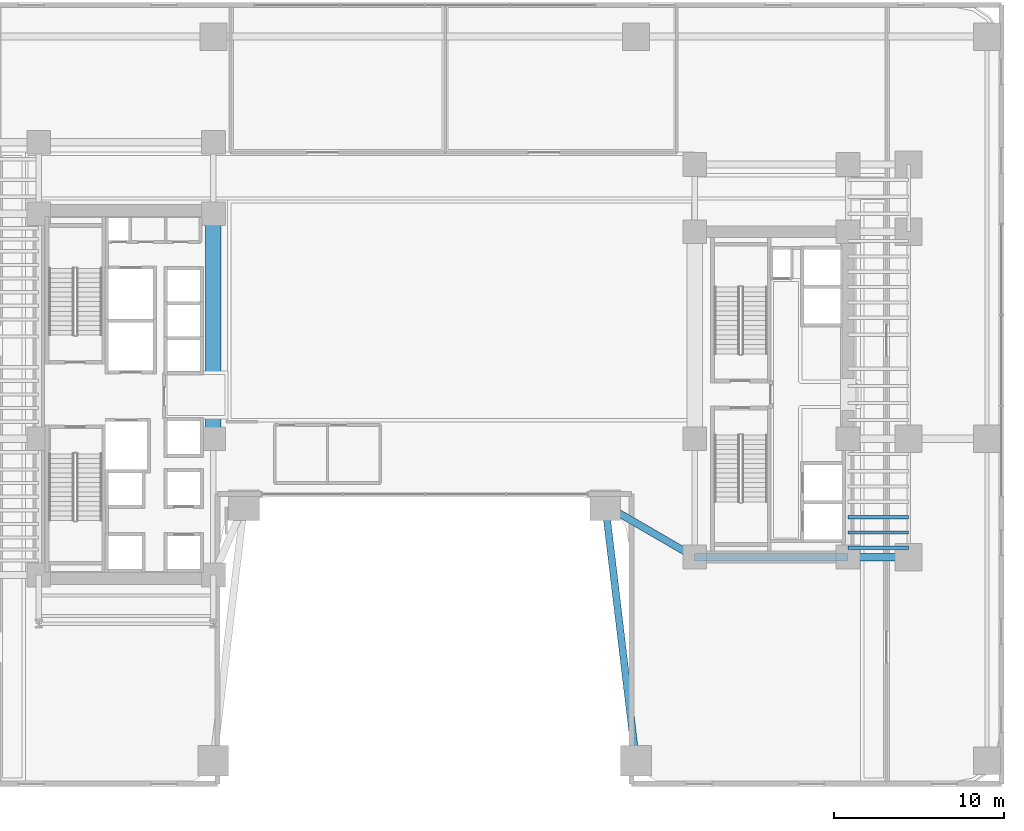
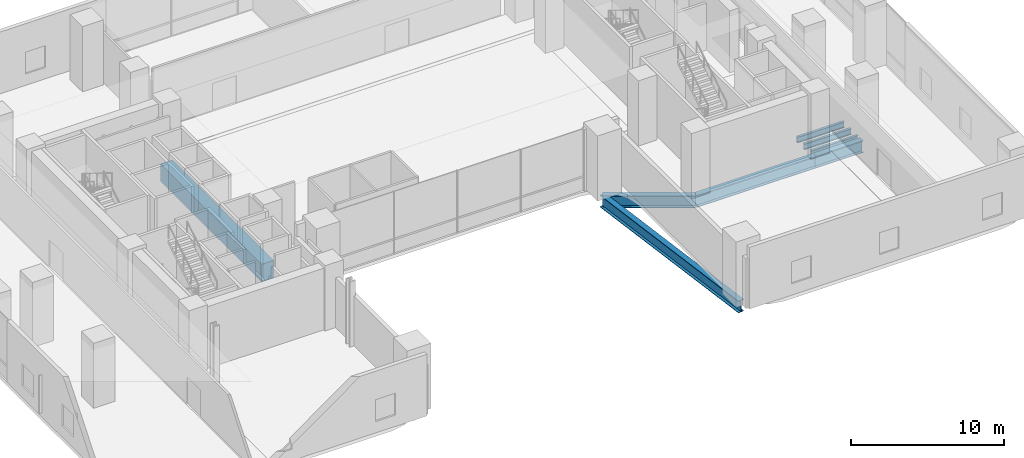
# One storey, part 7 of 39: 8 beams.
"""IFC4 building model written with IfcOpenShell, lengths in metres."""

import ifcopenshell
import ifcopenshell.guid

model = None  # the IFC model being written
_history = None  # IfcOwnerHistory: only IFC2X3 demands one
_inside = {}  # id of a spatial element -> (the spatial element, [elements in it])
_under = {}  # id of a project, library or spatial element -> (it, [spatial elements below it])
_declared = {}  # id of a project -> (the project, [libraries it declares])
_typed = {}  # id of a type object -> (the type object, [elements of that type])
_made_of = {}  # id of a material, layer set ... -> (it, [elements and type objects made of it])


def new_model(schema):
    """Start an empty IFC model of exactly this schema.

    Asked for "IFC4X3", IfcOpenShell would pick the latest addendum, in which some entities
    have other attributes; the version numbers below select the first issue.
    IFC2X3 requires an IfcOwnerHistory on every rooted entity: one is made here for all.
    """
    global model, _history
    if schema == "IFC4X3":
        model = ifcopenshell.file(schema_version=(4, 3, 0, 0))
    else:
        model = ifcopenshell.file(schema=schema)
    _inside.clear()
    _under.clear()
    _declared.clear()
    _typed.clear()
    _made_of.clear()
    _history = None
    if model.schema == "IFC2X3":
        org = make("IfcOrganization", Name="unknown")
        user = make(
            "IfcPersonAndOrganization",
            ThePerson=make("IfcPerson", FamilyName="unknown"),
            TheOrganization=org,
        )
        app = make(
            "IfcApplication",
            ApplicationDeveloper=org,
            Version="unknown",
            ApplicationFullName="unknown",
            ApplicationIdentifier="unknown",
        )
        _history = make(
            "IfcOwnerHistory",
            OwningUser=user,
            OwningApplication=app,
            ChangeAction="ADDED",
            CreationDate=0,
        )
    return model


def make(cls, **values):
    """One entity of the class cls with the attributes given. An attribute that is None is left unset."""
    return model.create_entity(
        cls, **{name: value for name, value in values.items() if value is not None}
    )


def rooted(cls, **values):
    """An entity with a GlobalId (a new one), such as an element, a storey or a relation."""
    return make(cls, GlobalId=ifcopenshell.guid.new(), OwnerHistory=_history, **values)


def si_unit(unit_type, name, prefix=None):
    """IfcSIUnit, for example si_unit("LENGTHUNIT", "METRE", prefix="MILLI")."""
    return make("IfcSIUnit", UnitType=unit_type, Prefix=prefix, Name=name)


def assignment(units):
    """IfcUnitAssignment: the units of a project."""
    return None if units is None else make("IfcUnitAssignment", Units=units)


def point(xyz):
    """IfcCartesianPoint."""
    return None if xyz is None else make("IfcCartesianPoint", Coordinates=xyz)


def direction(xyz):
    """IfcDirection."""
    return None if xyz is None else make("IfcDirection", DirectionRatios=xyz)


def frame(location, z_axis=None, x_axis=None):
    """IfcAxis2Placement3D, a coordinate frame: its origin and axes. An axis left out is left unset."""
    return make(
        "IfcAxis2Placement3D",
        Location=point(location),
        Axis=direction(z_axis),
        RefDirection=direction(x_axis),
    )


def frame_2d(location, x_axis=None):
    """IfcAxis2Placement2D, a coordinate frame in the plane: its origin and x axis."""
    return make(
        "IfcAxis2Placement2D", Location=point(location), RefDirection=direction(x_axis)
    )


def origin():
    """The frame at (0, 0, 0) with its axes left unset."""
    return frame((0.0, 0.0, 0.0))


def origin_2d():
    """The frame at (0, 0) in the plane with its x axis left unset."""
    return frame_2d((0.0, 0.0))


def place(relative_to, where):
    """IfcLocalPlacement: puts the frame where relative to a parent placement (None: the world)."""
    return make(
        "IfcLocalPlacement", PlacementRelTo=relative_to, RelativePlacement=where
    )


def context(
    kind, dimensions, precision=None, world=None, true_north=None, identifier=None
):
    """IfcGeometricRepresentationContext, for example the 3D "Model" context."""
    return make(
        "IfcGeometricRepresentationContext",
        ContextIdentifier=identifier,
        ContextType=kind,
        CoordinateSpaceDimension=dimensions,
        Precision=precision,
        WorldCoordinateSystem=world,
        TrueNorth=true_north,
    )


def subcontext(parent, identifier, kind, view, scale=None):
    """IfcGeometricRepresentationSubContext, for example "Body" below "Model"."""
    return make(
        "IfcGeometricRepresentationSubContext",
        ContextIdentifier=identifier,
        ContextType=kind,
        ParentContext=parent,
        TargetScale=scale,
        TargetView=view,
    )


def project(units=None, contexts=None):
    """IfcProject with its units and contexts."""
    return rooted(
        "IfcProject",
        Name="project",
        RepresentationContexts=contexts,
        UnitsInContext=assignment(units),
    )


def spatial(cls, under=None, at=None, **own):
    """A site, building, storey or space (cls), placed at a placement, below another one or the project."""
    s = rooted(cls, ObjectPlacement=at, **own)
    if under is not None:
        _under.setdefault(under.id(), (under, []))[1].append(s)
    return s


def profile(cls, at=None, kind="AREA", **sizes):
    """A parametric profile (cls). Its sizes go by their IFC names, for example OverallWidth=200.0."""
    return make(cls, ProfileType=kind, Position=at, **sizes)


def rectangle(**sizes):
    """IfcRectangleProfileDef."""
    return profile("IfcRectangleProfileDef", **sizes)


def i_section(**sizes):
    """IfcIShapeProfileDef."""
    return profile("IfcIShapeProfileDef", **sizes)


def extrude(swept, where, along, depth):
    """IfcExtrudedAreaSolid: the profile swept, set in the frame where, extruded along a direction by depth."""
    return make(
        "IfcExtrudedAreaSolid",
        SweptArea=swept,
        Position=where,
        ExtrudedDirection=direction(along),
        Depth=depth,
    )


def shape(context_of_items, identifier, shape_type, items):
    """IfcShapeRepresentation: the items that make up one representation, for example the "Body"."""
    return make(
        "IfcShapeRepresentation",
        ContextOfItems=context_of_items,
        RepresentationIdentifier=identifier,
        RepresentationType=shape_type,
        Items=items,
    )


def source(mapping_origin, context_of_items, identifier, shape_type, items):
    """IfcRepresentationMap: a shape defined once, which mapped items show again and again."""
    return make(
        "IfcRepresentationMap",
        MappingOrigin=mapping_origin,
        MappedRepresentation=shape(context_of_items, identifier, shape_type, items),
    )


def transform(
    local_origin,
    x_axis=None,
    y_axis=None,
    z_axis=None,
    scale=None,
    scale2=None,
    scale3=None,
    uniform=True,
):
    """IfcCartesianTransformationOperator3D, or its non-uniform kind. x_axis, y_axis, z_axis: its Axis1, 2, 3."""
    if uniform:
        return make(
            "IfcCartesianTransformationOperator3D",
            Axis1=direction(x_axis),
            Axis2=direction(y_axis),
            LocalOrigin=point(local_origin),
            Scale=scale,
            Axis3=direction(z_axis),
        )
    return make(
        "IfcCartesianTransformationOperator3DnonUniform",
        Axis1=direction(x_axis),
        Axis2=direction(y_axis),
        LocalOrigin=point(local_origin),
        Scale=scale,
        Axis3=direction(z_axis),
        Scale2=scale2,
        Scale3=scale3,
    )


def mapped(mapping_source, mapping_target):
    """IfcMappedItem: shows the shape of a source again, moved by a transform."""
    return make(
        "IfcMappedItem", MappingSource=mapping_source, MappingTarget=mapping_target
    )


def material(Name=None, Category=None):
    """IfcMaterial."""
    return make("IfcMaterial", Name=Name, Category=Category)


def material_profile(
    of_material, cross_section, Name=None, Category=None, Priority=None
):
    """IfcMaterialProfile: a cross section and its material."""
    return make(
        "IfcMaterialProfile",
        Name=Name,
        Material=of_material,
        Profile=cross_section,
        Priority=Priority,
        Category=Category,
    )


def profile_set(profiles, Name=None, composite=None):
    """IfcMaterialProfileSet."""
    return make(
        "IfcMaterialProfileSet",
        Name=Name,
        MaterialProfiles=profiles,
        CompositeProfile=composite,
    )


def made_of(thing, what):
    """Note that an element or type object is made of a material, layer set ...; save() writes the relation."""
    if what is not None:
        _made_of.setdefault(what.id(), (what, []))[1].append(thing)
    return thing


def type_object(cls, material=None, **own):
    """A type object (cls), such as IfcWallType, which elements share."""
    return made_of(rooted(cls, **own), material)


def element(
    cls,
    number,
    at=None,
    inside=None,
    cuts=None,
    type_object=None,
    material=None,
    context=None,
    identifier="Body",
    shape_type=None,
    held_by="IfcProductDefinitionShape",
    body=None,
    shapes=None,
    **own,
):
    """One element of the class cls, such as IfcWall. Its Tag is "e" and its number.

    at: its placement. inside: the storey or other place that contains it. cuts: it is an
    opening in that element (IfcRelVoidsElement). A single representation is given by context,
    identifier, shape_type and body (its items); several are given by shapes. held_by: the class
    of the entity that holds the representations. save() writes the other relations.
    """
    e = rooted(cls, Tag="e%d" % number, ObjectPlacement=at, **own)
    if body is not None:
        shapes = [shape(context, identifier, shape_type, body)]
    if shapes is not None:
        e.Representation = make(held_by, Representations=shapes)
    if inside is not None:
        _inside.setdefault(inside.id(), (inside, []))[1].append(e)
    if cuts is not None:
        rooted(
            "IfcRelVoidsElement", RelatingBuildingElement=cuts, RelatedOpeningElement=e
        )
    if type_object is not None:
        _typed.setdefault(type_object.id(), (type_object, []))[1].append(e)
    return made_of(e, material)


def aggregate(whole, parts):
    """IfcRelAggregates: a whole, such as a stair, and the parts it consists of."""
    return rooted("IfcRelAggregates", RelatingObject=whole, RelatedObjects=parts)


def save(model, path):
    """Write the relations noted so far, then the file.

    IfcRelAggregates (storeys below a building ...), IfcRelContainedInSpatialStructure (elements
    in a storey), IfcRelDefinesByType, IfcRelAssociatesMaterial and IfcRelDeclares: one each for
    every whole, place, type object, material and project.
    """
    for whole, parts in _under.values():
        aggregate(whole, parts)
    for where, things in _inside.values():
        rooted(
            "IfcRelContainedInSpatialStructure",
            RelatedElements=things,
            RelatingStructure=where,
        )
    for kind, things in _typed.values():
        rooted("IfcRelDefinesByType", RelatedObjects=things, RelatingType=kind)
    for what, things in _made_of.values():
        rooted("IfcRelAssociatesMaterial", RelatedObjects=things, RelatingMaterial=what)
    for by, libraries in _declared.values():
        rooted("IfcRelDeclares", RelatingContext=by, RelatedDefinitions=libraries)
    model.write(path)


model = new_model("IFC4")

# Units and contexts
model_context = context("Model", 3, precision=1e-05, world=origin(), true_north=direction((0.0, 1.0)))
body_context = subcontext(model_context, "Body", "Model", "MODEL_VIEW")
ifc_project = project(units=[si_unit("LENGTHUNIT", "METRE"), si_unit("AREAUNIT", "SQUARE_METRE"), si_unit("VOLUMEUNIT", "CUBIC_METRE"), si_unit("PLANEANGLEUNIT", "RADIAN"), si_unit("MASSUNIT", "GRAM", prefix="KILO")], contexts=[model_context])

# Site, building, storey
site_placement = place(None, origin())
site = spatial("IfcSite", under=ifc_project, at=site_placement, CompositionType="ELEMENT")
building_placement = place(site_placement, origin())
building = spatial("IfcBuilding", under=site, at=building_placement, Name="Valdorenza Pilgrim Sanctuary Tower", CompositionType="ELEMENT")
storey_placement = place(building_placement, frame((0.0, 0.0, 5.199951171875)))
storey = spatial("IfcBuildingStorey", under=building, at=storey_placement, Name="L01", CompositionType="ELEMENT", Elevation=5.199951171875)

# Beams
ifc_material_1 = material(Name="Concrete C60/75", Category="concrete")
ifc_material_profile_1 = material_profile(ifc_material_1, rectangle(XDim=0.89990234375, YDim=1.39990234375, at=origin_2d()), Name="RC 1400x900")
ifc_profile_set_1 = profile_set([ifc_material_profile_1], Name="Concrete C60/75")
beam_type_1 = type_object("IfcBeamType", Name="STR-BM-LNT-1400", PredefinedType="LINTEL", material=ifc_profile_set_1)
shared_shape_1 = source(origin(), body_context, "Body", "SweptSolid", [
    extrude(rectangle(XDim=0.89990234375, YDim=1.39990234375, at=origin_2d()), origin(), (0.0, 0.0, 1.0), 13.2001953125),
])
beam_1_placement = place(storey_placement, frame((-12.39990234375, -2.60009765625, -0.739990234375), z_axis=(0.0, 1.0, 0.0), x_axis=(-1.0, 0.0, 0.0)))
element("IfcBeam", 1, at=beam_1_placement, inside=storey, type_object=beam_type_1, Name="L01 Core A Coupling Lintel Girder", PredefinedType="LINTEL", context=body_context, shape_type="MappedRepresentation", body=[
    mapped(shared_shape_1, transform((0.0, 0.0, 0.0), x_axis=(1.0, 0.0, 0.0), y_axis=(0.0, 1.0, 0.0), z_axis=(0.0, 0.0, 1.0), scale=1.0)),
])
ifc_material_2 = material(Name="Steel ASTM A992 Grade 50", Category="steel")
ifc_material_profile_2 = material_profile(ifc_material_2, i_section(OverallWidth=0.423095703125, OverallDepth=0.947998046875, WebThickness=0.02392578125, FlangeThickness=0.042724609375, at=origin_2d()), Name="W36X302")
ifc_profile_set_2 = profile_set([ifc_material_profile_2], Name="Steel ASTM A992 Grade 50")
beam_type_2 = type_object("IfcBeamType", Name="STR-BM-GRD-W36A", PredefinedType="BEAM", material=ifc_profile_set_2)
shared_shape_2 = source(origin(), body_context, "Body", "SweptSolid", [
    extrude(i_section(OverallWidth=0.423095703125, OverallDepth=0.947998046875, WebThickness=0.02392578125, FlangeThickness=0.042724609375, at=origin_2d()), origin(), (0.0, 0.0, 1.0), 9.0),
])
beam_2_placement = place(storey_placement, frame((15.85009765625, -9.550048828125, -0.75390625), z_axis=(1.0, 0.0, 0.0), x_axis=(0.0, 1.0, 0.0)))
element("IfcBeam", 2, at=beam_2_placement, inside=storey, type_object=beam_type_2, Name="L01 Floor Girder CB-XC-S1", PredefinedType="BEAM", context=body_context, shape_type="MappedRepresentation", body=[
    mapped(shared_shape_2, transform((0.0, 0.0, 0.0), x_axis=(1.0, 0.0, 0.0), y_axis=(0.0, 1.0, 0.0), z_axis=(0.0, 0.0, 1.0), scale=1.0)),
])
shared_shape_3 = source(origin(), body_context, "Body", "SweptSolid", [
    extrude(i_section(OverallWidth=0.423095703125, OverallDepth=0.947998046875, WebThickness=0.02392578125, FlangeThickness=0.042724609375, at=origin_2d()), origin(), (0.0, 0.0, 1.0), 3.5498046875),
])
beam_3_placement = place(storey_placement, frame((24.85009765625, -9.550048828125, -0.75390625), z_axis=(1.0, 0.0, 0.0), x_axis=(0.0, 1.0, 0.0)))
element("IfcBeam", 3, at=beam_3_placement, inside=storey, type_object=beam_type_2, Name="L01 Floor Girder WB-XE-S1", PredefinedType="BEAM", context=body_context, shape_type="MappedRepresentation", body=[
    mapped(shared_shape_3, transform((0.0, 0.0, 0.0), x_axis=(1.0, 0.0, 0.0), y_axis=(0.0, 1.0, 0.0), z_axis=(0.0, 0.0, 1.0), scale=1.0)),
])
ifc_material_profile_3 = material_profile(ifc_material_2, i_section(OverallWidth=0.193115234375, OverallDepth=0.466064453125, WebThickness=0.011474609375, FlangeThickness=0.01904296875, at=origin_2d()), Name="W18X65")
ifc_profile_set_3 = profile_set([ifc_material_profile_3], Name="Steel ASTM A992 Grade 50")
beam_type_3 = type_object("IfcBeamType", Name="STR-BM-JST-W18A", PredefinedType="JOIST", material=ifc_profile_set_3)
shared_shape_4 = source(origin(), body_context, "Body", "SweptSolid", [
    extrude(i_section(OverallWidth=0.193115234375, OverallDepth=0.466064453125, WebThickness=0.011474609375, FlangeThickness=0.01904296875, at=origin_2d()), origin(), (0.0, 0.0, 1.0), 3.5498046875),
])
for number, where, z_axis, x_axis, name in (
    (4, (24.85009765625, -9.0, -0.512939453125), (1.0, 0.0, 0.0), (0.0, 1.0, 0.0), "L01 Composite Floor Joist JST-WB-1"),
    (5, (24.85009765625, -8.10009765625, -0.512939453125), (1.0, 0.0, 0.0), (0.0, 1.0, 0.0), "L01 Composite Floor Joist JST-WB-2"),
    (6, (24.85009765625, -7.199951171875, -0.512939453125), (1.0, 0.0, 0.0), (0.0, 1.0, 0.0), "L01 Composite Floor Joist JST-WB-3"),
):
    element("IfcBeam", number, at=place(storey_placement, frame(where, z_axis=z_axis, x_axis=x_axis)), inside=storey, type_object=beam_type_3, Name=name, PredefinedType="JOIST", context=body_context, shape_type="MappedRepresentation", body=[
        mapped(shared_shape_4, transform((0.0, 0.0, 0.0), x_axis=(1.0, 0.0, 0.0), y_axis=(0.0, 1.0, 0.0), z_axis=(0.0, 0.0, 1.0), scale=1.0)),
    ])
shared_shape_5 = source(origin(), body_context, "Body", "SweptSolid", [
    extrude(i_section(OverallWidth=0.423095703125, OverallDepth=0.947998046875, WebThickness=0.02392578125, FlangeThickness=0.042724609375, at=origin_2d()), origin(), (0.0, 0.0, 1.0), 15.107666015625),
])
beam_4_placement = place(storey_placement, frame((12.39990234375, -21.5, -0.75390625), z_axis=(-0.119132476027, 0.992878367755, 0.0), x_axis=(-0.992878367755, -0.119132476027, 0.0)))
element("IfcBeam", 7, at=beam_4_placement, inside=storey, type_object=beam_type_2, Name="L01 Floor Girder POD-ARCH-E", PredefinedType="BEAM", context=body_context, shape_type="MappedRepresentation", body=[
    mapped(shared_shape_5, transform((0.0, 0.0, 0.0), x_axis=(1.0, 0.0, 0.0), y_axis=(0.0, 1.0, 0.0), z_axis=(0.0, 0.0, 1.0), scale=1.0)),
])
shared_shape_6 = source(origin(), body_context, "Body", "SweptSolid", [
    extrude(i_section(OverallWidth=0.423095703125, OverallDepth=0.947998046875, WebThickness=0.02392578125, FlangeThickness=0.042724609375, at=origin_2d()), origin(), (0.0, 0.0, 1.0), 6.07177734375),
])
beam_5_placement = place(storey_placement, frame((10.60009765625, -6.5, -0.75390625), z_axis=(0.864670076815, -0.50234018181, 0.0), x_axis=(0.50234018181, 0.864670076815, 0.0)))
element("IfcBeam", 8, at=beam_5_placement, inside=storey, type_object=beam_type_2, Name="L01 Floor Girder POD-ARCH-NE", PredefinedType="BEAM", context=body_context, shape_type="MappedRepresentation", body=[
    mapped(shared_shape_6, transform((0.0, 0.0, 0.0), x_axis=(1.0, 0.0, 0.0), y_axis=(0.0, 1.0, 0.0), z_axis=(0.0, 0.0, 1.0), scale=1.0)),
])

save(model, "model.ifc")
